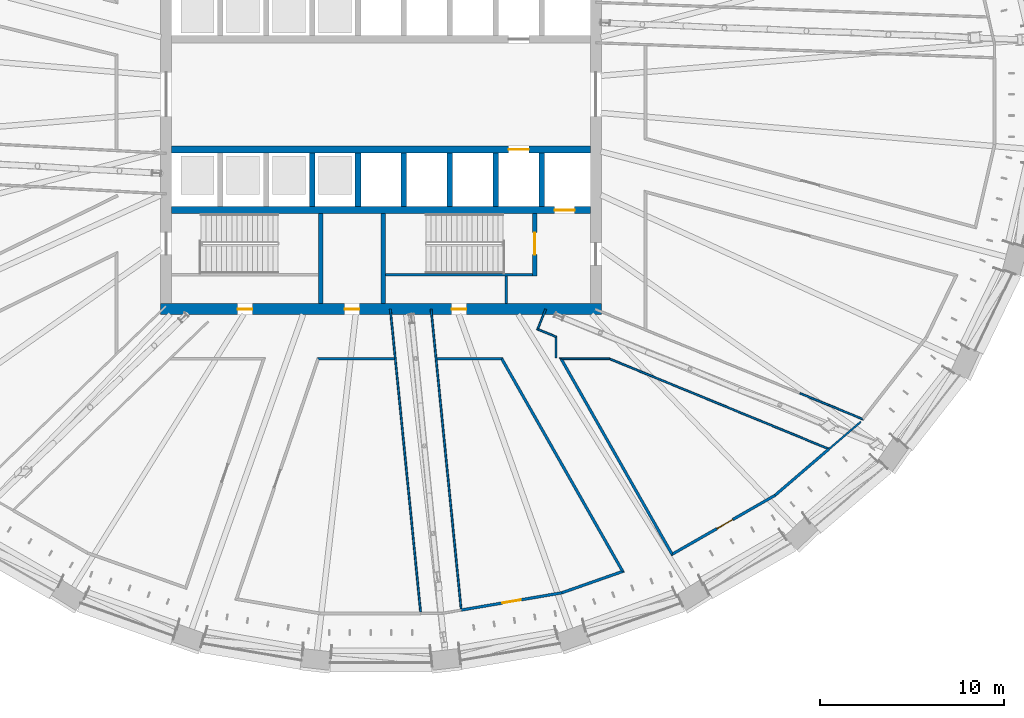
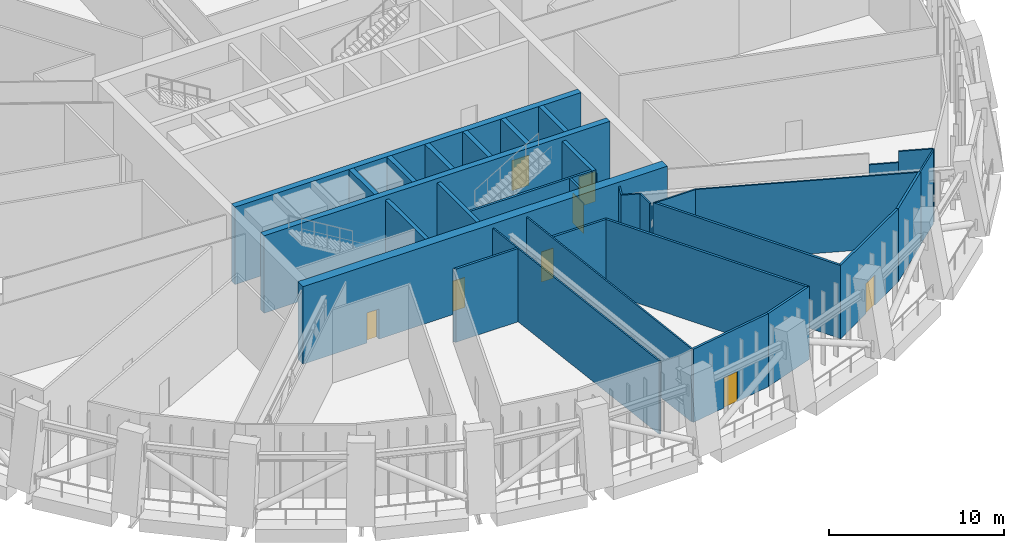
# One storey, part 8 of 22: 32 walls, 8 doors, 8 openings.
"""IFC4 building model written with IfcOpenShell, lengths in metres."""

from ifc_helpers import new_model, si_unit, direction, frame, frame_2d, origin, place, context, subcontext, project, spatial, polyline, rectangle, outline, extrude, material, layer, layer_set, type_object, element, fill, save


model = new_model("IFC4")

# Units and contexts
model_context = context("Model", 3, precision=1e-05, world=origin(), true_north=direction((0.0, 1.0)))
body_context = subcontext(model_context, "Body", "Model", "MODEL_VIEW")
ifc_project = project(units=[si_unit("LENGTHUNIT", "METRE"), si_unit("AREAUNIT", "SQUARE_METRE"), si_unit("VOLUMEUNIT", "CUBIC_METRE"), si_unit("PLANEANGLEUNIT", "RADIAN"), si_unit("MASSUNIT", "GRAM", prefix="KILO")], contexts=[model_context])

# Site, building, storey
site_placement = place(None, origin())
site = spatial("IfcSite", under=ifc_project, at=site_placement, CompositionType="ELEMENT")
building_placement = place(site_placement, origin())
building = spatial("IfcBuilding", under=site, at=building_placement, Name="Halqa Exchange Tower", CompositionType="ELEMENT")
storey_placement = place(building_placement, frame((0.0, 0.0, 99.10009765625)))
storey = spatial("IfcBuildingStorey", under=building, at=storey_placement, Name="L22", CompositionType="ELEMENT", Elevation=99.10009765625)

# Wall
ifc_material_1 = material(Name="Fire-rated gypsum board")
ifc_layer_1 = layer(ifc_material_1, 0.14990234375)
ifc_layer_set_1 = layer_set([ifc_layer_1], Name="Fire-rated gypsum board")
wall_type_1 = type_object("IfcWallType", Name="Fire partition EI 60 150", PredefinedType="PARTITIONING", material=ifc_layer_set_1)
wall_1_placement = place(storey_placement, frame((0.737060546875, -14.39990234375, 0.0), z_axis=(0.0, 0.0, 1.0), x_axis=(-1.0, 0.0, 0.0)))
element("IfcWall", 1, at=wall_1_placement, inside=storey, type_object=wall_type_1, Name="L22-PWL-050", PredefinedType="PARTITIONING", context=body_context, shape_type="SweptSolid", body=[
    extrude(outline(polyline([(4.210693359375, -0.074951171875), (4.210693359375, -0.07470703125), (4.156982421875, 0.0), (4.103515625, 0.074951171875), (2.735595703125, 0.074951171875), (1.367919921875, 0.074951171875), (0.0, 0.074951171875), (0.0, 0.0732421875), (0.014892578125, -0.074951171875), (1.413330078125, -0.074951171875), (2.81201171875, -0.074951171875), (4.210693359375, -0.074951171875)])), origin(), (0.0, 0.0, 1.0), 5.099853515625),
])

# Wall, opening, door
wall_2_placement = place(storey_placement, frame((4.3701171875, -28.080078125, 0.0), z_axis=(0.0, 0.0, 1.0), x_axis=(0.985601586491, 0.169084336074, 0.0)))
wall_2 = element("IfcWall", 2, at=wall_2_placement, inside=storey, type_object=wall_type_1, Name="L22-PWL-057", PredefinedType="PARTITIONING", context=body_context, shape_type="SweptSolid", body=[
    extrude(outline(polyline([(5.566162109375, -0.074951171875), (5.566162109375, -0.073974609375), (5.5537109375, 0.074951171875), (3.702392578125, 0.074951171875), (1.851318359375, 0.074951171875), (0.0, 0.074951171875), (0.0, -0.074951171875), (1.85546875, -0.074951171875), (3.710693359375, -0.074951171875), (5.566162109375, -0.074951171875)])), origin(), (0.0, 0.0, 1.0), 5.099853515625),
])
opening_1_placement = place(wall_2_placement, frame((2.280029296875, 0.0, 0.0)))
opening_1 = element("IfcOpeningElement", 3, at=opening_1_placement, cuts=wall_2, Name="Opening L22-05", PredefinedType="OPENING", context=body_context, shape_type="SweptSolid", body=[
    extrude(rectangle(XDim=1.0, YDim=2.10009765625, at=frame_2d((0.5, 1.050048828125))), frame((0.0, 0.0869140625, 0.0), z_axis=(0.0, -1.0, 0.0), x_axis=(1.0, 0.0, 0.0)), (0.0, 0.0, 1.0), 0.173828125),
])
ifc_material_2 = material(Name="Steel fire door leaf", Category="steel")
door_type_1 = type_object("IfcDoorType", Name="Fire door FD30S 1000 x 2100", OperationType="SINGLE_SWING_LEFT", PredefinedType="DOOR", material=ifc_material_2)
door_1_placement = place(opening_1_placement, origin())
door_1 = element("IfcDoor", 4, at=door_1_placement, inside=storey, type_object=door_type_1, Name="L22-IDR-005", OperationType="SINGLE_SWING_RIGHT", OverallHeight=2.10009765625, OverallWidth=1.0, PredefinedType="DOOR", context=body_context, shape_type="SweptSolid", body=[
    extrude(rectangle(XDim=1.0, YDim=2.10009765625, at=frame_2d((0.5, 1.050048828125))), frame((0.0, 0.02490234375, 0.0), z_axis=(0.0, -1.0, 0.0), x_axis=(1.0, 0.0, 0.0)), (0.0, 0.0, 1.0), 0.050048828125),
])
fill(opening_1, door_1)

# Walls
wall_3_placement = place(storey_placement, frame((6.62353515625, -14.39990234375, 0.0), z_axis=(0.0, 0.0, 1.0), x_axis=(-1.0, 0.0, 0.0)))
element("IfcWall", 5, at=wall_3_placement, inside=storey, type_object=wall_type_1, Name="L22-PWL-059", PredefinedType="PARTITIONING", context=body_context, shape_type="SweptSolid", body=[
    extrude(outline(polyline([(3.580078125, -0.074951171875), (3.580078125, -0.071044921875), (3.5654296875, 0.074951171875), (1.826171875, 0.074951171875), (0.087158203125, 0.074951171875), (0.04345703125, 0.0), (0.0, -0.07470703125), (0.0, -0.074951171875), (1.7900390625, -0.074951171875), (3.580078125, -0.074951171875)])), origin(), (0.0, 0.0, 1.0), 5.099853515625),
])
wall_4_placement = place(storey_placement, frame((6.558349609375, -14.362060546875, 0.0), z_axis=(0.0, 0.0, 1.0), x_axis=(0.494364889709, -0.869254482774, 0.0)))
element("IfcWall", 6, at=wall_4_placement, inside=storey, type_object=wall_type_1, Name="L22-PWL-060", PredefinedType="PARTITIONING", context=body_context, shape_type="SweptSolid", body=[
    extrude(outline(polyline([(0.08740234375, -0.074951171875), (1.970703125, -0.074951171875), (3.85400390625, -0.074951171875), (5.7373046875, -0.074951171875), (7.62060546875, -0.074951171875), (9.50390625, -0.074951171875), (11.38720703125, -0.074951171875), (13.2705078125, -0.074951171875), (13.449951171875, 0.074951171875), (11.528564453125, 0.074951171875), (9.607177734375, 0.074951171875), (7.685791015625, 0.074951171875), (5.764404296875, 0.074951171875), (3.843017578125, 0.074951171875), (1.921630859375, 0.074951171875), (0.0, 0.074951171875), (0.08740234375, -0.074951171875)])), origin(), (0.0, 0.0, 1.0), 5.099853515625),
])
wall_5_placement = place(storey_placement, frame((9.760498046875, -14.31298828125, 0.0), z_axis=(0.0, 0.0, 1.0), x_axis=(0.493758679804, -0.869598968558, 0.0)))
element("IfcWall", 7, at=wall_5_placement, inside=storey, type_object=wall_type_1, Name="L22-PWL-067", PredefinedType="PARTITIONING", context=body_context, shape_type="SweptSolid", body=[
    extrude(outline(polyline([(0.0, -0.074951171875), (1.7734375, -0.074951171875), (3.546875, -0.074951171875), (5.3203125, -0.074951171875), (7.09375, -0.074951171875), (8.8671875, -0.074951171875), (10.640625, -0.074951171875), (12.4140625, -0.074951171875), (12.263671875, 0.074951171875), (10.540283203125, 0.074951171875), (8.81689453125, 0.074951171875), (7.093505859375, 0.074951171875), (5.3701171875, 0.074951171875), (3.646728515625, 0.074951171875), (1.92333984375, 0.074951171875), (0.199951171875, 0.074951171875), (0.0, -0.074951171875), (0.0, -0.074951171875)])), origin(), (0.0, 0.0, 1.0), 5.099853515625),
])
wall_6_placement = place(storey_placement, frame((9.843994140625, -27.14208984375, 0.0), z_axis=(0.0, 0.0, 1.0), x_axis=(0.943408080156, 0.331634127159, 0.0)))
element("IfcWall", 8, at=wall_6_placement, inside=storey, type_object=wall_type_1, Name="L22-PWL-069", PredefinedType="PARTITIONING", context=body_context, shape_type="SweptSolid", body=[
    extrude(outline(polyline([(0.0, -0.074951171875), (1.803955078125, -0.074951171875), (3.60791015625, -0.074951171875), (3.428466796875, 0.074951171875), (1.720458984375, 0.074951171875), (0.0126953125, 0.074951171875), (0.0, -0.074951171875)])), origin(), (0.0, 0.0, 1.0), 5.099853515625),
])

# Wall, opening, door
wall_7_placement = place(storey_placement, frame((15.78759765625, -25.080078125, 0.0), z_axis=(0.0, 0.0, 1.0), x_axis=(0.867670967067, 0.497138907055, 0.0)))
wall_7 = element("IfcWall", 9, at=wall_7_placement, inside=storey, type_object=wall_type_1, Name="L22-PWL-082", PredefinedType="PARTITIONING", context=body_context, shape_type="SweptSolid", body=[
    extrude(outline(polyline([(0.000244140625, -0.074951171875), (1.63623046875, -0.074951171875), (3.2724609375, -0.074951171875), (4.908447265625, -0.074951171875), (6.544677734375, -0.074951171875), (6.5302734375, 0.074951171875), (4.935546875, 0.074951171875), (3.340576171875, 0.074951171875), (1.74560546875, 0.074951171875), (0.150634765625, 0.074951171875), (0.000244140625, -0.074951171875)])), origin(), (0.0, 0.0, 1.0), 5.099853515625),
])
opening_2_placement = place(wall_7_placement, frame((2.879638671875, 0.0, 0.0)))
opening_2 = element("IfcOpeningElement", 10, at=opening_2_placement, cuts=wall_7, Name="Opening L22-06", PredefinedType="OPENING", context=body_context, shape_type="SweptSolid", body=[
    extrude(rectangle(XDim=1.0, YDim=2.10009765625, at=frame_2d((0.5, 1.050048828125))), frame((0.0, 0.0869140625, 0.0), z_axis=(0.0, -1.0, 0.0), x_axis=(1.0, 0.0, 0.0)), (0.0, 0.0, 1.0), 0.173828125),
])
door_2_placement = place(opening_2_placement, origin())
door_2 = element("IfcDoor", 11, at=door_2_placement, inside=storey, type_object=door_type_1, Name="L22-IDR-006", OperationType="SINGLE_SWING_RIGHT", OverallHeight=2.10009765625, OverallWidth=1.0, PredefinedType="DOOR", context=body_context, shape_type="SweptSolid", body=[
    extrude(rectangle(XDim=1.0, YDim=2.10009765625, at=frame_2d((0.5, 1.050048828125))), frame((0.0, 0.02490234375, 0.0), z_axis=(0.0, -1.0, 0.0), x_axis=(1.0, 0.0, 0.0)), (0.0, 0.0, 1.0), 0.050048828125),
])
fill(opening_2, door_2)

# Walls
wall_8_placement = place(storey_placement, frame((21.45458984375, -21.834716796875, 0.0), z_axis=(0.0, 0.0, 1.0), x_axis=(0.758167150763, 0.652060251437, 0.0)))
element("IfcWall", 12, at=wall_8_placement, inside=storey, type_object=wall_type_1, Name="L22-PWL-085", PredefinedType="PARTITIONING", context=body_context, shape_type="SweptSolid", body=[
    extrude(outline(polyline([(3.87939453125, 0.074951171875), (1.94677734375, 0.074951171875), (0.014404296875, 0.074951171875), (0.0, -0.074951171875), (1.939697265625, -0.074951171875), (3.87939453125, -0.074951171875), (3.87939453125, 0.074951171875)])), origin(), (0.0, 0.0, 1.0), 5.099853515625),
])
ifc_material_3 = material(Name="Gypsum board")
ifc_layer_2 = layer(ifc_material_3, 0.10009765625)
ifc_layer_set_2 = layer_set([ifc_layer_2], Name="Gypsum board")
wall_type_2 = type_object("IfcWallType", Name="Partition 100 gypsum", PredefinedType="PARTITIONING", material=ifc_layer_set_2)
wall_9_placement = place(storey_placement, frame((0.510009765625, -11.699951171875, 0.0), z_axis=(0.0, 0.0, 1.0), x_axis=(0.09951245757, -0.995036316316, 0.0)))
element("IfcWall", 13, at=wall_9_placement, inside=storey, type_object=wall_type_2, Name="L22-PWL-049", PredefinedType="PARTITIONING", context=body_context, shape_type="SweptSolid", body=[
    extrude(outline(polyline([(0.0, -0.050048828125), (1.316650390625, -0.050048828125), (2.633056640625, -0.050048828125), (2.633056640625, -0.0498046875), (2.6357421875, -0.050048828125), (4.625244140625, -0.050048828125), (6.61474609375, -0.050048828125), (8.604248046875, -0.050048828125), (10.59375, -0.050048828125), (12.583251953125, -0.050048828125), (14.57275390625, -0.050048828125), (16.562255859375, -0.050048828125), (16.568359375, 0.01123046875), (16.59326171875, 0.0087890625), (16.596923828125, 0.045166015625), (16.596923828125, 0.050048828125), (14.7529296875, 0.050048828125), (12.90869140625, 0.050048828125), (11.064697265625, 0.050048828125), (9.220458984375, 0.050048828125), (7.37646484375, 0.050048828125), (5.5322265625, 0.050048828125), (3.688232421875, 0.050048828125), (1.843994140625, 0.050048828125), (0.0, 0.050048828125), (0.0, -0.050048828125)])), origin(), (0.0, 0.0, 1.0), 5.099853515625),
])
wall_10_placement = place(storey_placement, frame((2.72998046875, -11.699951171875, 0.0), z_axis=(0.0, 0.0, 1.0), x_axis=(0.099620052523, -0.995025549991, 0.0)))
element("IfcWall", 14, at=wall_10_placement, inside=storey, type_object=wall_type_2, Name="L22-PWL-052", PredefinedType="PARTITIONING", context=body_context, shape_type="SweptSolid", body=[
    extrude(outline(polyline([(16.414794921875, -0.050048828125), (16.414794921875, -0.04150390625), (16.412109375, -0.00341796875), (16.414794921875, -0.003173828125), (16.414794921875, -0.003173828125), (16.38720703125, -0.005126953125), (16.38330078125, 0.050048828125), (14.44189453125, 0.050048828125), (12.50048828125, 0.050048828125), (10.559326171875, 0.050048828125), (8.617919921875, 0.050048828125), (6.676513671875, 0.050048828125), (4.7353515625, 0.050048828125), (2.7939453125, 0.050048828125), (2.7939453125, 0.049560546875), (2.787841796875, 0.050048828125), (1.393798828125, 0.050048828125), (0.0, 0.050048828125), (0.0, -0.050048828125), (1.823974609375, -0.050048828125), (3.647705078125, -0.050048828125), (5.4716796875, -0.050048828125), (7.29541015625, -0.050048828125), (9.119384765625, -0.050048828125), (10.943115234375, -0.050048828125), (12.76708984375, -0.050048828125), (14.5908203125, -0.050048828125), (16.414794921875, -0.050048828125)])), origin(), (0.0, 0.0, 1.0), 5.099853515625),
])
wall_11_placement = place(storey_placement, frame((8.48388671875, -12.77099609375, 0.0), z_axis=(0.0, 0.0, 1.0), x_axis=(0.92524601645, -0.379367643644, 0.0)))
element("IfcWall", 15, at=wall_11_placement, inside=storey, type_object=wall_type_2, Name="L22-PWL-063", PredefinedType="PARTITIONING", context=body_context, shape_type="SweptSolid", body=[
    extrude(outline(polyline([(0.000244140625, -0.050048828125), (1.09716796875, -0.050048828125), (1.1640625, 0.0498046875), (1.1640625, 0.050048828125), (0.099853515625, 0.050048828125), (0.000244140625, -0.050048828125)])), origin(), (0.0, 0.0, 1.0), 5.099853515625),
])
wall_12_placement = place(storey_placement, frame((8.969970703125, -11.699951171875, 0.0), z_axis=(0.0, 0.0, 1.0), x_axis=(-0.374206059245, -0.927345580258, 0.0)))
element("IfcWall", 16, at=wall_12_placement, inside=storey, type_object=wall_type_2, Name="L22-PWL-064", PredefinedType="PARTITIONING", context=body_context, shape_type="SweptSolid", body=[
    extrude(outline(polyline([(0.0, -0.050048828125), (1.22509765625, -0.050048828125), (1.125732421875, 0.050048828125), (0.0, 0.050048828125), (0.0, -0.050048828125)])), origin(), (0.0, 0.0, 1.0), 5.099853515625),
])
wall_13_placement = place(storey_placement, frame((9.530029296875, -13.16650390625, 0.0), z_axis=(0.0, 0.0, 1.0), x_axis=(0.0, -1.0, 0.0)))
element("IfcWall", 17, at=wall_13_placement, inside=storey, type_object=wall_type_2, Name="L22-PWL-065", PredefinedType="PARTITIONING", context=body_context, shape_type="SweptSolid", body=[
    extrude(outline(polyline([(0.0, 0.050048828125), (0.0, 0.0498046875), (0.067138671875, -0.050048828125), (1.18359375, -0.050048828125), (1.18359375, 0.050048828125), (0.0, 0.050048828125)])), origin(), (0.0, 0.0, 1.0), 5.099853515625),
])
wall_14_placement = place(storey_placement, frame((9.6953125, -14.39990234375, 0.0), z_axis=(0.0, 0.0, 1.0), x_axis=(1.0, 0.0, 0.0)))
element("IfcWall", 18, at=wall_14_placement, inside=storey, type_object=wall_type_2, Name="L22-PWL-068", PredefinedType="PARTITIONING", context=body_context, shape_type="SweptSolid", body=[
    extrude(outline(polyline([(0.229248046875, -0.050048828125), (1.487060546875, -0.050048828125), (2.744873046875, -0.050048828125), (2.7646484375, 0.050048828125), (1.38232421875, 0.050048828125), (0.0, 0.050048828125), (0.0, 0.0498046875), (0.229248046875, -0.050048828125)])), origin(), (0.0, 0.0, 1.0), 5.099853515625),
])
wall_15_placement = place(storey_placement, frame((12.44091796875, -14.396240234375, 0.0), z_axis=(0.0, 0.0, 1.0), x_axis=(0.924853269873, -0.380324110733, 0.0)))
element("IfcWall", 19, at=wall_15_placement, inside=storey, type_object=wall_type_2, Name="L22-PWL-074", PredefinedType="PARTITIONING", context=body_context, shape_type="SweptSolid", body=[
    extrude(outline(polyline([(0.019775390625, -0.050048828125), (1.846923828125, -0.050048828125), (3.674072265625, -0.050048828125), (5.50146484375, -0.050048828125), (7.32861328125, -0.050048828125), (9.156005859375, -0.050048828125), (10.983154296875, -0.050048828125), (12.810302734375, -0.050048828125), (12.8564453125, 0.040771484375), (12.89501953125, 0.021240234375), (12.89501953125, 0.037109375), (12.89013671875, 0.03955078125), (12.89501953125, 0.04931640625), (12.89501953125, 0.050048828125), (11.052978515625, 0.050048828125), (9.210693359375, 0.050048828125), (7.36865234375, 0.050048828125), (5.5263671875, 0.050048828125), (3.684326171875, 0.050048828125), (1.842041015625, 0.050048828125), (0.0, 0.050048828125), (0.0, 0.0498046875), (0.009765625, 0.0), (0.019775390625, -0.050048828125)])), origin(), (0.0, 0.0, 1.0), 5.099853515625),
])
wall_16_placement = place(storey_placement, frame((24.3994140625, -19.30908203125, 0.0), z_axis=(0.0, 0.0, 1.0), x_axis=(0.759233893013, 0.650817866765, 0.0)))
element("IfcWall", 20, at=wall_16_placement, inside=storey, type_object=wall_type_2, Name="L22-PWL-088", PredefinedType="PARTITIONING", context=body_context, shape_type="SweptSolid", body=[
    extrude(outline(polyline([(2.276611328125, 0.050048828125), (0.024658203125, 0.050048828125), (0.0, 0.03759765625), (0.0, -0.050048828125), (2.276611328125, -0.050048828125), (2.276611328125, 0.050048828125)])), origin(), (0.0, 0.0, 1.0), 5.099853515625),
])
wall_17_placement = place(storey_placement, frame((22.813720703125, -16.27685546875, 0.0), z_axis=(0.0, 0.0, 1.0), x_axis=(0.925000784705, -0.37996519353, 0.0)))
element("IfcWall", 21, at=wall_17_placement, inside=storey, type_object=wall_type_2, Name="L22-PWL-110", PredefinedType="PARTITIONING", context=body_context, shape_type="SweptSolid", body=[
    extrude(outline(polyline([(0.0, 0.050048828125), (0.0, -0.050048828125), (1.6904296875, -0.050048828125), (1.6904296875, 0.050048828125), (0.0, 0.050048828125)])), origin(), (0.0, 0.0, 1.0), 4.329833984375),
])
wall_18_placement = place(storey_placement, frame((24.37744140625, -16.919189453125, 0.0), z_axis=(0.0, 0.0, 1.0), x_axis=(0.925015370033, -0.37992968455, 0.0)))
element("IfcWall", 22, at=wall_18_placement, inside=storey, type_object=wall_type_2, Name="L22-PWL-111", PredefinedType="PARTITIONING", context=body_context, shape_type="SweptSolid", body=[
    extrude(outline(polyline([(2.066650390625, -0.050048828125), (2.066650390625, -0.050048828125), (1.938720703125, 0.050048828125), (0.0, 0.050048828125), (0.0, -0.050048828125), (2.066650390625, -0.050048828125)])), origin(), (0.0, 0.0, 1.0), 5.099853515625),
])
ifc_layer_3 = layer(ifc_material_3, 0.14990234375)
ifc_layer_set_3 = layer_set([ifc_layer_3], Name="Gypsum board")
wall_type_3 = type_object("IfcWallType", Name="Penthouse riser wall 150 gypsum", PredefinedType="PARTITIONING", material=ifc_layer_set_3)
wall_19_placement = place(storey_placement, frame((6.824951171875, -11.39990234375, 0.0), z_axis=(0.0, 0.0, 1.0), x_axis=(0.0, 1.0, 0.0)))
element("IfcWall", 23, at=wall_19_placement, inside=storey, type_object=wall_type_3, Name="Firefighting lobby west wall S", PredefinedType="PARTITIONING", context=body_context, shape_type="SweptSolid", body=[
    extrude(rectangle(XDim=1.5, YDim=0.14990234375, at=frame_2d((0.75, 0.0))), origin(), (0.0, 0.0, 1.0), 5.099853515625),
])
ifc_material_4 = material(Name="Concrete C60/75", Category="concrete")
ifc_layer_4 = layer(ifc_material_4, 0.300048828125)
ifc_layer_set_4 = layer_set([ifc_layer_4], Name="Concrete C60/75")
wall_type_4 = type_object("IfcWallType", Name="RC core wall 300", PredefinedType="SHEAR", material=ifc_layer_set_4)
for number, where, z_axis, x_axis, name in (
    (24, (-3.75, -6.10009765625, 0.0), (0.0, 0.0, 1.0), (0.0, 1.0, 0.0), "Shaft divider S3"),
    (25, (-1.25, -6.10009765625, 0.0), (0.0, 0.0, 1.0), (0.0, 1.0, 0.0), "Shaft divider S4"),
    (26, (1.25, -6.10009765625, 0.0), (0.0, 0.0, 1.0), (0.0, 1.0, 0.0), "Shaft divider S5"),
    (27, (3.75, -6.10009765625, 0.0), (0.0, 0.0, 1.0), (0.0, 1.0, 0.0), "Shaft divider S6"),
    (28, (6.25, -6.10009765625, 0.0), (0.0, 0.0, 1.0), (0.0, 1.0, 0.0), "Shaft divider S7"),
    (29, (8.75, -6.10009765625, 0.0), (0.0, 0.0, 1.0), (0.0, 1.0, 0.0), "Shaft divider S8"),
):
    element("IfcWall", number, at=place(storey_placement, frame(where, z_axis=z_axis, x_axis=x_axis)), inside=storey, type_object=wall_type_4, Name=name, PredefinedType="SHEAR", context=body_context, shape_type="SweptSolid", body=[
        extrude(rectangle(XDim=2.900146484375, YDim=0.300048828125, at=frame_2d((1.4501953125, 0.0))), origin(), (0.0, 0.0, 1.0), 5.39990234375),
    ])

# Wall, opening, door
ifc_material_5 = material(Name="Concrete C80/95", Category="concrete")
ifc_layer_5 = layer(ifc_material_5, 0.39990234375)
ifc_layer_set_5 = layer_set([ifc_layer_5], Name="Concrete C80/95")
wall_type_5 = type_object("IfcWallType", Name="RC core wall 400 C80/95", PredefinedType="SHEAR", material=ifc_layer_set_5)
wall_20_placement = place(storey_placement, frame((-11.39990234375, -3.0, 0.0), z_axis=(0.0, 0.0, 1.0), x_axis=(1.0, 0.0, 0.0)))
wall_20 = element("IfcWall", 30, at=wall_20_placement, inside=storey, type_object=wall_type_5, Name="Lift row front wall S", PredefinedType="SHEAR", context=body_context, shape_type="SweptSolid", body=[
    extrude(rectangle(XDim=22.7998046875, YDim=0.39990234375, at=frame_2d((11.39990234375, 0.0))), origin(), (0.0, 0.0, 1.0), 5.39990234375),
])
opening_3_placement = place(wall_20_placement, frame((18.35009765625, 0.0, 0.0)))
opening_3 = element("IfcOpeningElement", 31, at=opening_3_placement, cuts=wall_20, Name="Opening LD-SV2-L22", PredefinedType="OPENING", context=body_context, shape_type="SweptSolid", body=[
    extrude(rectangle(XDim=1.10009765625, YDim=2.10009765625, at=frame_2d((0.550048828125, 1.050048828125))), frame((0.0, 0.2119140625, 0.0), z_axis=(0.0, -1.0, 0.0), x_axis=(1.0, 0.0, 0.0)), (0.0, 0.0, 1.0), 0.423828125),
])
ifc_material_6 = material(Name="Stainless steel", Category="steel")
door_type_2 = type_object("IfcDoorType", Name="Lift landing door 1100 x 2100", OperationType="SLIDING_TO_LEFT", PredefinedType="DOOR", material=ifc_material_6)
door_3_placement = place(opening_3_placement, origin())
door_3 = element("IfcDoor", 32, at=door_3_placement, inside=storey, type_object=door_type_2, Name="Lift landing door SV2", OperationType="SLIDING_TO_LEFT", OverallHeight=2.10009765625, OverallWidth=1.10009765625, PredefinedType="DOOR", context=body_context, shape_type="SweptSolid", body=[
    extrude(rectangle(XDim=1.10009765625, YDim=2.10009765625, at=frame_2d((0.550048828125, 1.050048828125))), frame((0.0, 0.02490234375, 0.0), z_axis=(0.0, -1.0, 0.0), x_axis=(1.0, 0.0, 0.0)), (0.0, 0.0, 1.0), 0.050048828125),
])
fill(opening_3, door_3)

wall_21_placement = place(storey_placement, frame((-11.39990234375, -6.300048828125, 0.0), z_axis=(0.0, 0.0, 1.0), x_axis=(1.0, 0.0, 0.0)))
wall_21 = element("IfcWall", 33, at=wall_21_placement, inside=storey, type_object=wall_type_5, Name="Lift row back wall S", PredefinedType="SHEAR", context=body_context, shape_type="SweptSolid", body=[
    extrude(rectangle(XDim=22.7998046875, YDim=0.39990234375, at=frame_2d((11.39990234375, 0.0))), origin(), (0.0, 0.0, 1.0), 5.39990234375),
])
opening_4_placement = place(wall_21_placement, frame((20.85009765625, 0.0, 0.0)))
opening_4 = element("IfcOpeningElement", 34, at=opening_4_placement, cuts=wall_21, Name="Opening LD-FF2-L22", PredefinedType="OPENING", context=body_context, shape_type="SweptSolid", body=[
    extrude(rectangle(XDim=1.10009765625, YDim=2.10009765625, at=frame_2d((0.550048828125, 1.050048828125))), frame((0.0, 0.2119140625, 0.0), z_axis=(0.0, -1.0, 0.0), x_axis=(1.0, 0.0, 0.0)), (0.0, 0.0, 1.0), 0.423828125),
])
door_4_placement = place(opening_4_placement, origin())
door_4 = element("IfcDoor", 35, at=door_4_placement, inside=storey, type_object=door_type_2, Name="Lift landing door FF2", OperationType="SLIDING_TO_LEFT", OverallHeight=2.10009765625, OverallWidth=1.10009765625, PredefinedType="DOOR", context=body_context, shape_type="SweptSolid", body=[
    extrude(rectangle(XDim=1.10009765625, YDim=2.10009765625, at=frame_2d((0.550048828125, 1.050048828125))), frame((0.0, 0.02490234375, 0.0), z_axis=(0.0, -1.0, 0.0), x_axis=(1.0, 0.0, 0.0)), (0.0, 0.0, 1.0), 0.050048828125),
])
fill(opening_4, door_4)

# Wall, openings, doors
ifc_layer_6 = layer(ifc_material_5, 0.60009765625)
ifc_layer_set_6 = layer_set([ifc_layer_6], Name="Concrete C80/95")
wall_type_6 = type_object("IfcWallType", Name="RC core wall 600 C80/95", PredefinedType="SHEAR", material=ifc_layer_set_6)
wall_22_placement = place(storey_placement, frame((-12.0, -11.699951171875, 0.0), z_axis=(0.0, 0.0, 1.0), x_axis=(1.0, 0.0, 0.0)))
wall_22 = element("IfcWall", 36, at=wall_22_placement, inside=storey, type_object=wall_type_6, Name="Core wall south", PredefinedType="SHEAR", context=body_context, shape_type="SweptSolid", body=[
    extrude(rectangle(XDim=24.0, YDim=0.60009765625, at=frame_2d((12.0, 0.0))), origin(), (0.0, 0.0, 1.0), 5.39990234375),
])
opening_5_placement = place(wall_22_placement, frame((10.02490234375, 0.0, 0.0)))
opening_5 = element("IfcOpeningElement", 37, at=opening_5_placement, cuts=wall_22, Name="Opening L22-C17", PredefinedType="OPENING", context=body_context, shape_type="SweptSolid", body=[
    extrude(rectangle(XDim=0.800048828125, YDim=2.10009765625, at=frame_2d((0.39990234375, 1.050048828125))), frame((0.0, 0.31201171875, 0.0), z_axis=(0.0, -1.0, 0.0), x_axis=(1.0, 0.0, 0.0)), (0.0, 0.0, 1.0), 0.6240234375),
])
opening_6_placement = place(wall_22_placement, frame((4.199951171875, 0.0, 0.0)))
opening_6 = element("IfcOpeningElement", 38, at=opening_6_placement, cuts=wall_22, Name="Opening L22-C18", PredefinedType="OPENING", context=body_context, shape_type="SweptSolid", body=[
    extrude(rectangle(XDim=0.800048828125, YDim=2.10009765625, at=frame_2d((0.39990234375, 1.050048828125))), frame((0.0, 0.31201171875, 0.0), z_axis=(0.0, -1.0, 0.0), x_axis=(1.0, 0.0, 0.0)), (0.0, 0.0, 1.0), 0.6240234375),
])
opening_7_placement = place(wall_22_placement, frame((15.85009765625, 0.0, 0.0)))
opening_7 = element("IfcOpeningElement", 39, at=opening_7_placement, cuts=wall_22, Name="Opening L22-C19", PredefinedType="OPENING", context=body_context, shape_type="SweptSolid", body=[
    extrude(rectangle(XDim=0.800048828125, YDim=2.10009765625, at=frame_2d((0.39990234375, 1.050048828125))), frame((0.0, 0.31201171875, 0.0), z_axis=(0.0, -1.0, 0.0), x_axis=(1.0, 0.0, 0.0)), (0.0, 0.0, 1.0), 0.6240234375),
])
door_type_3 = type_object("IfcDoorType", Name="Riser door FD60 800 x 2100", OperationType="SINGLE_SWING_LEFT", PredefinedType="DOOR", material=ifc_material_2)
door_5_placement = place(opening_5_placement, origin())
door_5 = element("IfcDoor", 40, at=door_5_placement, inside=storey, type_object=door_type_3, Name="Core room door", OperationType="SINGLE_SWING_RIGHT", OverallHeight=2.10009765625, OverallWidth=0.800048828125, PredefinedType="DOOR", context=body_context, shape_type="SweptSolid", body=[
    extrude(rectangle(XDim=0.800048828125, YDim=2.10009765625, at=frame_2d((0.39990234375, 1.050048828125))), frame((0.0, 0.02490234375, 0.0), z_axis=(0.0, -1.0, 0.0), x_axis=(1.0, 0.0, 0.0)), (0.0, 0.0, 1.0), 0.050048828125),
])
fill(opening_5, door_5)
door_6_placement = place(opening_6_placement, origin())
door_6 = element("IfcDoor", 41, at=door_6_placement, inside=storey, type_object=door_type_3, Name="Core room door", OperationType="SINGLE_SWING_LEFT", OverallHeight=2.10009765625, OverallWidth=0.800048828125, PredefinedType="DOOR", context=body_context, shape_type="SweptSolid", body=[
    extrude(rectangle(XDim=0.800048828125, YDim=2.10009765625, at=frame_2d((0.39990234375, 1.050048828125))), frame((0.0, 0.02490234375, 0.0), z_axis=(0.0, -1.0, 0.0), x_axis=(1.0, 0.0, 0.0)), (0.0, 0.0, 1.0), 0.050048828125),
])
fill(opening_6, door_6)
door_7_placement = place(opening_7_placement, origin())
door_7 = element("IfcDoor", 42, at=door_7_placement, inside=storey, type_object=door_type_3, Name="Core room door", OperationType="SINGLE_SWING_LEFT", OverallHeight=2.10009765625, OverallWidth=0.800048828125, PredefinedType="DOOR", context=body_context, shape_type="SweptSolid", body=[
    extrude(rectangle(XDim=0.800048828125, YDim=2.10009765625, at=frame_2d((0.39990234375, 1.050048828125))), frame((0.0, 0.02490234375, 0.0), z_axis=(0.0, -1.0, 0.0), x_axis=(1.0, 0.0, 0.0)), (0.0, 0.0, 1.0), 0.050048828125),
])
fill(opening_7, door_7)

# Walls
ifc_material_7 = material(Name="Concrete C30/37", Category="concrete")
ifc_layer_7 = layer(ifc_material_7, 0.14990234375)
ifc_layer_set_7 = layer_set([ifc_layer_7], Name="Concrete C30/37")
wall_type_7 = type_object("IfcWallType", Name="RC stair wall 150 C30/37", PredefinedType="SHEAR", material=ifc_layer_set_7)
wall_23_placement = place(storey_placement, frame((0.25, -9.824951171875, 0.0), z_axis=(0.0, 0.0, 1.0), x_axis=(1.0, 0.0, 0.0)))
element("IfcWall", 43, at=wall_23_placement, inside=storey, type_object=wall_type_7, Name="Stair ST2 north wall S", PredefinedType="SHEAR", context=body_context, shape_type="SweptSolid", body=[
    extrude(rectangle(XDim=8.0, YDim=0.14990234375, at=frame_2d((4.0, 0.0))), origin(), (0.0, 0.0, 1.0), 5.099853515625),
])
ifc_layer_8 = layer(ifc_material_7, 0.25)
ifc_layer_set_8 = layer_set([ifc_layer_8], Name="Concrete C30/37")
wall_type_8 = type_object("IfcWallType", Name="RC stair wall 250 C30/37", PredefinedType="SHEAR", material=ifc_layer_set_8)
for number, where, z_axis, x_axis, name in (
    (44, (-3.27490234375, -11.39990234375, 0.0), (0.0, 0.0, 1.0), (0.0, 1.0, 0.0), "Stair ST1 east wall S"),
    (45, (0.125, -11.39990234375, 0.0), (0.0, 0.0, 1.0), (0.0, 1.0, 0.0), "Stair ST2 west wall S"),
):
    element("IfcWall", number, at=place(storey_placement, frame(where, z_axis=z_axis, x_axis=x_axis)), inside=storey, type_object=wall_type_8, Name=name, PredefinedType="SHEAR", context=body_context, shape_type="SweptSolid", body=[
        extrude(rectangle(XDim=4.89990234375, YDim=0.25, at=frame_2d((2.449951171875, 0.0))), origin(), (0.0, 0.0, 1.0), 5.099853515625),
    ])

# Wall, opening, door
wall_24_placement = place(storey_placement, frame((8.375, -9.89990234375, 0.0), z_axis=(0.0, 0.0, 1.0), x_axis=(0.0, 1.0, 0.0)))
wall_24 = element("IfcWall", 46, at=wall_24_placement, inside=storey, type_object=wall_type_8, Name="Stair ST2 east wall S", PredefinedType="SHEAR", context=body_context, shape_type="SweptSolid", body=[
    extrude(rectangle(XDim=3.39990234375, YDim=0.25, at=frame_2d((1.699951171875, 0.0))), origin(), (0.0, 0.0, 1.0), 5.099853515625),
])
opening_8_placement = place(wall_24_placement, frame((1.175048828125, 0.0, 0.0)))
opening_8 = element("IfcOpeningElement", 47, at=opening_8_placement, cuts=wall_24, Name="Opening L22-C10", PredefinedType="OPENING", context=body_context, shape_type="SweptSolid", body=[
    extrude(rectangle(XDim=1.199951171875, YDim=2.10009765625, at=frame_2d((0.60009765625, 1.050048828125))), frame((0.0, 0.136962890625, 0.0), z_axis=(0.0, -1.0, 0.0), x_axis=(1.0, 0.0, 0.0)), (0.0, 0.0, 1.0), 0.27392578125),
])
door_type_4 = type_object("IfcDoorType", Name="Stair door FD90 1200 x 2100", OperationType="SINGLE_SWING_LEFT", PredefinedType="DOOR", material=ifc_material_2)
door_8_placement = place(opening_8_placement, origin())
door_8 = element("IfcDoor", 48, at=door_8_placement, inside=storey, type_object=door_type_4, Name="Stair door ST4", OperationType="SINGLE_SWING_LEFT", OverallHeight=2.10009765625, OverallWidth=1.199951171875, PredefinedType="DOOR", context=body_context, shape_type="SweptSolid", body=[
    extrude(rectangle(XDim=1.199951171875, YDim=2.10009765625, at=frame_2d((0.60009765625, 1.050048828125))), frame((0.0, 0.02490234375, 0.0), z_axis=(0.0, -1.0, 0.0), x_axis=(1.0, 0.0, 0.0)), (0.0, 0.0, 1.0), 0.050048828125),
])
fill(opening_8, door_8)

save(model, "model.ifc")
